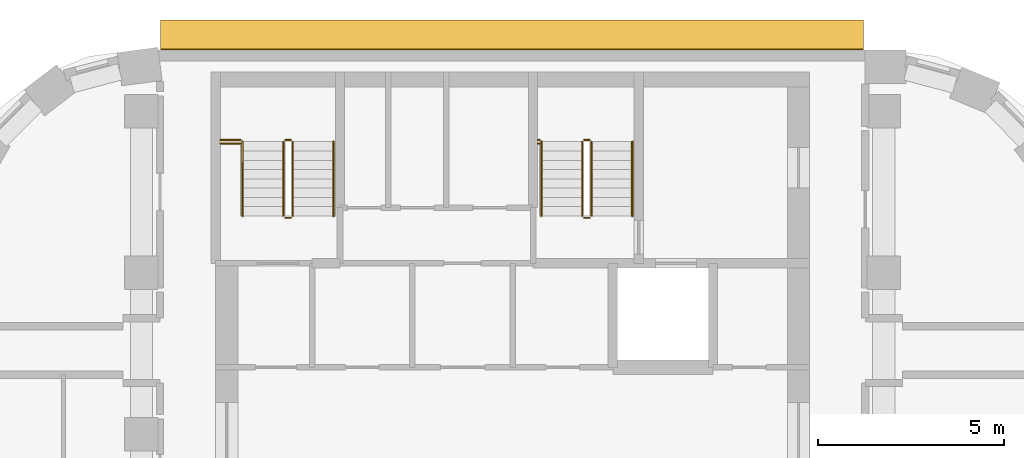
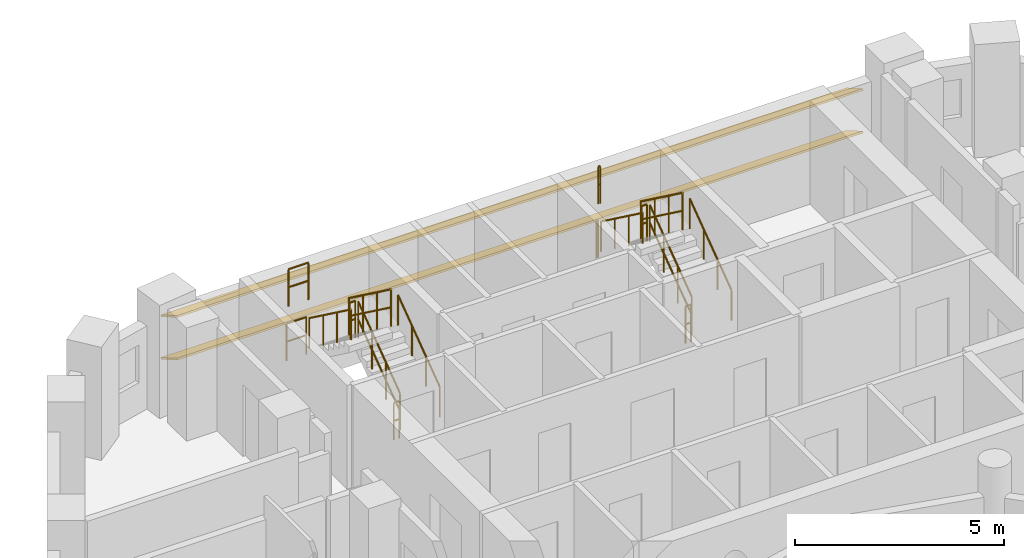
# One storey, part 13 of 13: 16 railings, 2 shading devices.
"""IFC4 building model written with IfcOpenShell, lengths in metres."""

from ifc_helpers import new_model, si_unit, direction, frame, origin, origin_2d, place, context, subcontext, project, spatial, rectangle, circle, extrude, material, material_profile, profile_set, type_object, element, save


model = new_model("IFC4")

# Units and contexts
model_context = context("Model", 3, precision=1e-05, world=origin(), true_north=direction((0.0, 1.0)))
body_context = subcontext(model_context, "Body", "Model", "MODEL_VIEW")
ifc_project = project(units=[si_unit("LENGTHUNIT", "METRE"), si_unit("AREAUNIT", "SQUARE_METRE"), si_unit("VOLUMEUNIT", "CUBIC_METRE"), si_unit("PLANEANGLEUNIT", "RADIAN"), si_unit("MASSUNIT", "GRAM", prefix="KILO")], contexts=[model_context])

# Site, building, storey
site_placement = place(None, origin())
site = spatial("IfcSite", under=ifc_project, at=site_placement, CompositionType="ELEMENT")
building_placement = place(site_placement, origin())
building = spatial("IfcBuilding", under=site, at=building_placement, Name="Nakaniwa Court", CompositionType="ELEMENT")
storey_placement = place(building_placement, frame((0.0, 0.0, 246.0)))
storey = spatial("IfcBuildingStorey", under=building, at=storey_placement, Name="L64", CompositionType="ELEMENT", Elevation=246.0)

# Shading devices
ifc_material_1 = material(Name="Perforated charcoal ceramic louvre blade")
ifc_material_profile = material_profile(ifc_material_1, rectangle(XDim=0.89990234375, YDim=0.050048828125, at=origin_2d()), Name="Perforated ceramic louvre blade")
ifc_profile_set = profile_set([ifc_material_profile], Name="Perforated charcoal ceramic louvre blade")
shading_device_type = type_object("IfcShadingDeviceType", Name="Perforated ceramic louvre blade", PredefinedType="JALOUSIE", material=ifc_profile_set)
for number, where, z_axis, x_axis, name in (
    (1, (89.44921875, 103.05224609375, 0.550048828125), (-1.0, 0.0, 0.0), (0.0, -0.866025403784, 0.5), "L64 perforated ceramic louvre blade w08 1"),
    (2, (89.44921875, 103.05224609375, 1.793212890625), (-1.0, 0.0, 0.0), (0.0, -0.866025403784, 0.5), "L64 perforated ceramic louvre blade w08 2"),
):
    element("IfcShadingDevice", number, at=place(storey_placement, frame(where, z_axis=z_axis, x_axis=x_axis)), inside=storey, type_object=shading_device_type, Name=name, PredefinedType="JALOUSIE", context=body_context, shape_type="SweptSolid", body=[
        extrude(rectangle(XDim=0.89990234375, YDim=0.050048828125, at=origin_2d()), origin(), (0.0, 0.0, 1.0), 18.933349609375),
    ])

# Railings
ifc_material_2 = material(Name="Black powder coated steel guard", Category="steel")
railing_type_1 = type_object("IfcRailingType", Name="Stair guard 1100", PredefinedType="GUARDRAIL", material=ifc_material_2)
railing_1_placement = place(storey_placement, frame((74.074951171875, 98.175048828125, 0.183349609375)))
element("IfcRailing", 3, at=railing_1_placement, inside=storey, type_object=railing_type_1, Name="L64 ST1 stair guard 1", PredefinedType="GUARDRAIL", context=body_context, shape_type="SweptSolid", body=[
    extrude(circle(Radius=0.02392578125, at=origin_2d()), frame((0.0, 0.0, 1.076171875), z_axis=(0.0, 0.806426902644, 0.591333789573), x_axis=(-1.0, 0.0, 0.0)), (0.0, 0.0, 1.0), 2.47998046875),
    extrude(circle(Radius=0.02392578125, at=origin_2d()), frame((0.0, 0.0, 0.550048828125), z_axis=(0.0, 0.806426902644, 0.591333789573), x_axis=(-1.0, 0.0, 0.0)), (0.0, 0.0, 1.0), 2.47998046875),
    extrude(circle(Radius=0.02099609375, at=origin_2d()), origin(), (0.0, 0.0, 1.0), 1.052001953125),
    extrude(circle(Radius=0.02099609375, at=origin_2d()), frame((0.0, 0.666748046875, 0.48876953125)), (0.0, 0.0, 1.0), 1.052001953125),
    extrude(circle(Radius=0.02099609375, at=origin_2d()), frame((0.0, 1.333251953125, 0.977783203125)), (0.0, 0.0, 1.0), 1.052001953125),
    extrude(circle(Radius=0.02099609375, at=origin_2d()), frame((0.0, 2.0, 1.466552734375)), (0.0, 0.0, 1.0), 1.052001953125),
])
railing_2_placement = place(storey_placement, frame((74.02490234375, 100.22509765625, 1.64990234375)))
element("IfcRailing", 4, at=railing_2_placement, inside=storey, type_object=railing_type_1, Name="L64 ST1 stair guard 2", PredefinedType="GUARDRAIL", context=body_context, shape_type="SweptSolid", body=[
    extrude(circle(Radius=0.02392578125, at=origin_2d()), frame((0.0, 0.0, 1.076171875), z_axis=(-1.0, 0.0, 0.0), x_axis=(0.0, -1.0, 0.0)), (0.0, 0.0, 1.0), 0.14990234375),
    extrude(circle(Radius=0.02392578125, at=origin_2d()), frame((0.0, 0.0, 0.550048828125), z_axis=(-1.0, 0.0, 0.0), x_axis=(0.0, -1.0, 0.0)), (0.0, 0.0, 1.0), 0.14990234375),
    extrude(circle(Radius=0.02099609375, at=origin_2d()), origin(), (0.0, 0.0, 1.0), 1.052001953125),
    extrude(circle(Radius=0.02099609375, at=origin_2d()), frame((-0.14990234375, 0.0, 0.0)), (0.0, 0.0, 1.0), 1.052001953125),
])
railing_3_placement = place(storey_placement, frame((73.824951171875, 100.175048828125, 1.833251953125)))
element("IfcRailing", 5, at=railing_3_placement, inside=storey, type_object=railing_type_1, Name="L64 ST1 stair guard 3", PredefinedType="GUARDRAIL", context=body_context, shape_type="SweptSolid", body=[
    extrude(circle(Radius=0.02392578125, at=origin_2d()), frame((0.0, 0.0, 1.076171875), z_axis=(0.0, -0.806379959628, 0.591397802423), x_axis=(1.0, 0.0, 0.0)), (0.0, 0.0, 1.0), 2.480224609375),
    extrude(circle(Radius=0.02392578125, at=origin_2d()), frame((0.0, 0.0, 0.550048828125), z_axis=(0.0, -0.806379959628, 0.591397802423), x_axis=(1.0, 0.0, 0.0)), (0.0, 0.0, 1.0), 2.480224609375),
    extrude(circle(Radius=0.02099609375, at=origin_2d()), origin(), (0.0, 0.0, 1.0), 1.052001953125),
    extrude(circle(Radius=0.02099609375, at=origin_2d()), frame((0.0, -0.666748046875, 0.489013671875)), (0.0, 0.0, 1.0), 1.052001953125),
    extrude(circle(Radius=0.02099609375, at=origin_2d()), frame((0.0, -1.333251953125, 0.977783203125)), (0.0, 0.0, 1.0), 1.052001953125),
    extrude(circle(Radius=0.02099609375, at=origin_2d()), frame((0.0, -2.0, 1.466796875)), (0.0, 0.0, 1.0), 1.052001953125),
])
railing_4_placement = place(storey_placement, frame((74.02490234375, 98.125, 0.0)))
element("IfcRailing", 6, at=railing_4_placement, inside=storey, type_object=railing_type_1, Name="L64 ST1 stair guard 4", PredefinedType="GUARDRAIL", context=body_context, shape_type="SweptSolid", body=[
    extrude(circle(Radius=0.02392578125, at=origin_2d()), frame((0.0, 0.0, 1.076171875), z_axis=(-1.0, 0.0, 0.0), x_axis=(0.0, -1.0, 0.0)), (0.0, 0.0, 1.0), 0.14990234375),
    extrude(circle(Radius=0.02392578125, at=origin_2d()), frame((0.0, 0.0, 0.550048828125), z_axis=(-1.0, 0.0, 0.0), x_axis=(0.0, -1.0, 0.0)), (0.0, 0.0, 1.0), 0.14990234375),
    extrude(circle(Radius=0.02099609375, at=origin_2d()), origin(), (0.0, 0.0, 1.0), 1.052001953125),
    extrude(circle(Radius=0.02099609375, at=origin_2d()), frame((-0.14990234375, 0.0, 0.0)), (0.0, 0.0, 1.0), 1.052001953125),
])
for number, where, name in (
    (7, (72.125, 100.22509765625, 1.64990234375), "L64 ST1 landing side guard 1W"),
    (8, (72.125, 100.125, 3.300048828125), "L64 ST1 floor edge guard 1W"),
):
    element("IfcRailing", number, at=place(storey_placement, frame(where)), inside=storey, type_object=railing_type_1, Name=name, PredefinedType="GUARDRAIL", context=body_context, shape_type="SweptSolid", body=[
        extrude(circle(Radius=0.02392578125, at=origin_2d()), frame((0.0, 0.0, 1.076171875), z_axis=(1.0, 0.0, 0.0), x_axis=(0.0, 1.0, 0.0)), (0.0, 0.0, 1.0), 0.550048828125),
        extrude(circle(Radius=0.02392578125, at=origin_2d()), frame((0.0, 0.0, 0.550048828125), z_axis=(1.0, 0.0, 0.0), x_axis=(0.0, 1.0, 0.0)), (0.0, 0.0, 1.0), 0.550048828125),
        extrude(circle(Radius=0.02099609375, at=origin_2d()), origin(), (0.0, 0.0, 1.0), 1.052001953125),
        extrude(circle(Radius=0.02099609375, at=origin_2d()), frame((0.550048828125, 0.0, 0.0)), (0.0, 0.0, 1.0), 1.052001953125),
    ])
railing_5_placement = place(storey_placement, frame((82.125, 98.175048828125, 0.183349609375)))
element("IfcRailing", 9, at=railing_5_placement, inside=storey, type_object=railing_type_1, Name="L64 ST2 stair guard 1", PredefinedType="GUARDRAIL", context=body_context, shape_type="SweptSolid", body=[
    extrude(circle(Radius=0.02392578125, at=origin_2d()), frame((0.0, 0.0, 1.076171875), z_axis=(0.0, 0.806426902644, 0.591333789573), x_axis=(-1.0, 0.0, 0.0)), (0.0, 0.0, 1.0), 2.47998046875),
    extrude(circle(Radius=0.02392578125, at=origin_2d()), frame((0.0, 0.0, 0.550048828125), z_axis=(0.0, 0.806426902644, 0.591333789573), x_axis=(-1.0, 0.0, 0.0)), (0.0, 0.0, 1.0), 2.47998046875),
    extrude(circle(Radius=0.02099609375, at=origin_2d()), origin(), (0.0, 0.0, 1.0), 1.052001953125),
    extrude(circle(Radius=0.02099609375, at=origin_2d()), frame((0.0, 0.666748046875, 0.48876953125)), (0.0, 0.0, 1.0), 1.052001953125),
    extrude(circle(Radius=0.02099609375, at=origin_2d()), frame((0.0, 1.333251953125, 0.977783203125)), (0.0, 0.0, 1.0), 1.052001953125),
    extrude(circle(Radius=0.02099609375, at=origin_2d()), frame((0.0, 2.0, 1.466552734375)), (0.0, 0.0, 1.0), 1.052001953125),
])
railing_6_placement = place(storey_placement, frame((82.074951171875, 100.22509765625, 1.64990234375)))
element("IfcRailing", 10, at=railing_6_placement, inside=storey, type_object=railing_type_1, Name="L64 ST2 stair guard 2", PredefinedType="GUARDRAIL", context=body_context, shape_type="SweptSolid", body=[
    extrude(circle(Radius=0.02392578125, at=origin_2d()), frame((0.0, 0.0, 1.076171875), z_axis=(-1.0, 0.0, 0.0), x_axis=(0.0, -1.0, 0.0)), (0.0, 0.0, 1.0), 0.14990234375),
    extrude(circle(Radius=0.02392578125, at=origin_2d()), frame((0.0, 0.0, 0.550048828125), z_axis=(-1.0, 0.0, 0.0), x_axis=(0.0, -1.0, 0.0)), (0.0, 0.0, 1.0), 0.14990234375),
    extrude(circle(Radius=0.02099609375, at=origin_2d()), origin(), (0.0, 0.0, 1.0), 1.052001953125),
    extrude(circle(Radius=0.02099609375, at=origin_2d()), frame((-0.14990234375, 0.0, 0.0)), (0.0, 0.0, 1.0), 1.052001953125),
])
railing_7_placement = place(storey_placement, frame((81.875, 100.175048828125, 1.833251953125)))
element("IfcRailing", 11, at=railing_7_placement, inside=storey, type_object=railing_type_1, Name="L64 ST2 stair guard 3", PredefinedType="GUARDRAIL", context=body_context, shape_type="SweptSolid", body=[
    extrude(circle(Radius=0.02392578125, at=origin_2d()), frame((0.0, 0.0, 1.076171875), z_axis=(0.0, -0.806379959628, 0.591397802423), x_axis=(1.0, 0.0, 0.0)), (0.0, 0.0, 1.0), 2.480224609375),
    extrude(circle(Radius=0.02392578125, at=origin_2d()), frame((0.0, 0.0, 0.550048828125), z_axis=(0.0, -0.806379959628, 0.591397802423), x_axis=(1.0, 0.0, 0.0)), (0.0, 0.0, 1.0), 2.480224609375),
    extrude(circle(Radius=0.02099609375, at=origin_2d()), origin(), (0.0, 0.0, 1.0), 1.052001953125),
    extrude(circle(Radius=0.02099609375, at=origin_2d()), frame((0.0, -0.666748046875, 0.489013671875)), (0.0, 0.0, 1.0), 1.052001953125),
    extrude(circle(Radius=0.02099609375, at=origin_2d()), frame((0.0, -1.333251953125, 0.977783203125)), (0.0, 0.0, 1.0), 1.052001953125),
    extrude(circle(Radius=0.02099609375, at=origin_2d()), frame((0.0, -2.0, 1.466796875)), (0.0, 0.0, 1.0), 1.052001953125),
])
railing_8_placement = place(storey_placement, frame((82.074951171875, 98.125, 0.0)))
element("IfcRailing", 12, at=railing_8_placement, inside=storey, type_object=railing_type_1, Name="L64 ST2 stair guard 4", PredefinedType="GUARDRAIL", context=body_context, shape_type="SweptSolid", body=[
    extrude(circle(Radius=0.02392578125, at=origin_2d()), frame((0.0, 0.0, 1.076171875), z_axis=(-1.0, 0.0, 0.0), x_axis=(0.0, -1.0, 0.0)), (0.0, 0.0, 1.0), 0.14990234375),
    extrude(circle(Radius=0.02392578125, at=origin_2d()), frame((0.0, 0.0, 0.550048828125), z_axis=(-1.0, 0.0, 0.0), x_axis=(0.0, -1.0, 0.0)), (0.0, 0.0, 1.0), 0.14990234375),
    extrude(circle(Radius=0.02099609375, at=origin_2d()), origin(), (0.0, 0.0, 1.0), 1.052001953125),
    extrude(circle(Radius=0.02099609375, at=origin_2d()), frame((-0.14990234375, 0.0, 0.0)), (0.0, 0.0, 1.0), 1.052001953125),
])
for number, where, name in (
    (13, (80.675048828125, 100.22509765625, 1.64990234375), "L64 ST2 landing side guard 1W"),
    (14, (80.675048828125, 100.125, 3.300048828125), "L64 ST2 floor edge guard 1W"),
):
    element("IfcRailing", number, at=place(storey_placement, frame(where)), inside=storey, type_object=railing_type_1, Name=name, PredefinedType="GUARDRAIL", context=body_context, shape_type="SweptSolid", body=[
        extrude(circle(Radius=0.02392578125, at=origin_2d()), frame((0.0, 0.0, 1.076171875), z_axis=(1.0, 0.0, 0.0), x_axis=(0.0, 1.0, 0.0)), (0.0, 0.0, 1.0), 0.050048828125),
        extrude(circle(Radius=0.02392578125, at=origin_2d()), frame((0.0, 0.0, 0.550048828125), z_axis=(1.0, 0.0, 0.0), x_axis=(0.0, 1.0, 0.0)), (0.0, 0.0, 1.0), 0.050048828125),
        extrude(circle(Radius=0.02099609375, at=origin_2d()), origin(), (0.0, 0.0, 1.0), 1.052001953125),
        extrude(circle(Radius=0.02099609375, at=origin_2d()), frame((0.050048828125, 0.0, 0.0)), (0.0, 0.0, 1.0), 1.052001953125),
    ])
ifc_material_3 = material(Name="Black powder coated steel handrail", Category="steel")
railing_type_2 = type_object("IfcRailingType", Name="Stair handrail 900", PredefinedType="HANDRAIL", material=ifc_material_3)
railing_9_placement = place(storey_placement, frame((75.175048828125, 98.175048828125, 0.183349609375)))
element("IfcRailing", 15, at=railing_9_placement, inside=storey, type_object=railing_type_2, Name="L64 ST1 stair handrail 1", PredefinedType="HANDRAIL", context=body_context, shape_type="SweptSolid", body=[
    extrude(circle(Radius=0.02392578125, at=origin_2d()), frame((0.0, 0.0, 0.8759765625), z_axis=(0.0, 0.806426902644, 0.591333789573), x_axis=(-1.0, 0.0, 0.0)), (0.0, 0.0, 1.0), 2.47998046875),
    extrude(circle(Radius=0.02099609375, at=origin_2d()), origin(), (0.0, 0.0, 1.0), 0.851806640625),
    extrude(circle(Radius=0.02099609375, at=origin_2d()), frame((0.0, 0.666748046875, 0.48876953125)), (0.0, 0.0, 1.0), 0.851806640625),
    extrude(circle(Radius=0.02099609375, at=origin_2d()), frame((0.0, 1.333251953125, 0.977783203125)), (0.0, 0.0, 1.0), 0.851806640625),
    extrude(circle(Radius=0.02099609375, at=origin_2d()), frame((0.0, 2.0, 1.466552734375)), (0.0, 0.0, 1.0), 0.851806640625),
])
railing_10_placement = place(storey_placement, frame((72.72509765625, 100.175048828125, 1.833251953125)))
element("IfcRailing", 16, at=railing_10_placement, inside=storey, type_object=railing_type_2, Name="L64 ST1 stair handrail 2", PredefinedType="HANDRAIL", context=body_context, shape_type="SweptSolid", body=[
    extrude(circle(Radius=0.02392578125, at=origin_2d()), frame((0.0, 0.0, 0.8759765625), z_axis=(0.0, -0.806379959628, 0.591397802423), x_axis=(1.0, 0.0, 0.0)), (0.0, 0.0, 1.0), 2.480224609375),
    extrude(circle(Radius=0.02099609375, at=origin_2d()), origin(), (0.0, 0.0, 1.0), 0.851806640625),
    extrude(circle(Radius=0.02099609375, at=origin_2d()), frame((0.0, -0.666748046875, 0.489013671875)), (0.0, 0.0, 1.0), 0.851806640625),
    extrude(circle(Radius=0.02099609375, at=origin_2d()), frame((0.0, -1.333251953125, 0.977783203125)), (0.0, 0.0, 1.0), 0.851806640625),
    extrude(circle(Radius=0.02099609375, at=origin_2d()), frame((0.0, -2.0, 1.466796875)), (0.0, 0.0, 1.0), 0.851806640625),
])
railing_11_placement = place(storey_placement, frame((83.22509765625, 98.175048828125, 0.183349609375)))
element("IfcRailing", 17, at=railing_11_placement, inside=storey, type_object=railing_type_2, Name="L64 ST2 stair handrail 1", PredefinedType="HANDRAIL", context=body_context, shape_type="SweptSolid", body=[
    extrude(circle(Radius=0.02392578125, at=origin_2d()), frame((0.0, 0.0, 0.8759765625), z_axis=(0.0, 0.806426902644, 0.591333789573), x_axis=(-1.0, 0.0, 0.0)), (0.0, 0.0, 1.0), 2.47998046875),
    extrude(circle(Radius=0.02099609375, at=origin_2d()), origin(), (0.0, 0.0, 1.0), 0.851806640625),
    extrude(circle(Radius=0.02099609375, at=origin_2d()), frame((0.0, 0.666748046875, 0.48876953125)), (0.0, 0.0, 1.0), 0.851806640625),
    extrude(circle(Radius=0.02099609375, at=origin_2d()), frame((0.0, 1.333251953125, 0.977783203125)), (0.0, 0.0, 1.0), 0.851806640625),
    extrude(circle(Radius=0.02099609375, at=origin_2d()), frame((0.0, 2.0, 1.466552734375)), (0.0, 0.0, 1.0), 0.851806640625),
])
railing_12_placement = place(storey_placement, frame((80.77490234375, 100.175048828125, 1.833251953125)))
element("IfcRailing", 18, at=railing_12_placement, inside=storey, type_object=railing_type_2, Name="L64 ST2 stair handrail 2", PredefinedType="HANDRAIL", context=body_context, shape_type="SweptSolid", body=[
    extrude(circle(Radius=0.02392578125, at=origin_2d()), frame((0.0, 0.0, 0.8759765625), z_axis=(0.0, -0.806379959628, 0.591397802423), x_axis=(1.0, 0.0, 0.0)), (0.0, 0.0, 1.0), 2.480224609375),
    extrude(circle(Radius=0.02099609375, at=origin_2d()), origin(), (0.0, 0.0, 1.0), 0.851806640625),
    extrude(circle(Radius=0.02099609375, at=origin_2d()), frame((0.0, -0.666748046875, 0.489013671875)), (0.0, 0.0, 1.0), 0.851806640625),
    extrude(circle(Radius=0.02099609375, at=origin_2d()), frame((0.0, -1.333251953125, 0.977783203125)), (0.0, 0.0, 1.0), 0.851806640625),
    extrude(circle(Radius=0.02099609375, at=origin_2d()), frame((0.0, -2.0, 1.466796875)), (0.0, 0.0, 1.0), 0.851806640625),
])

save(model, "model.ifc")
